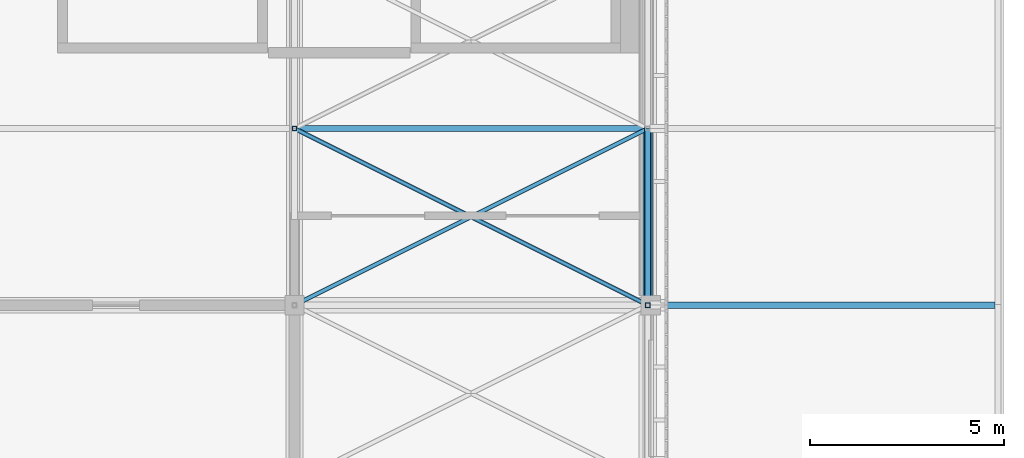
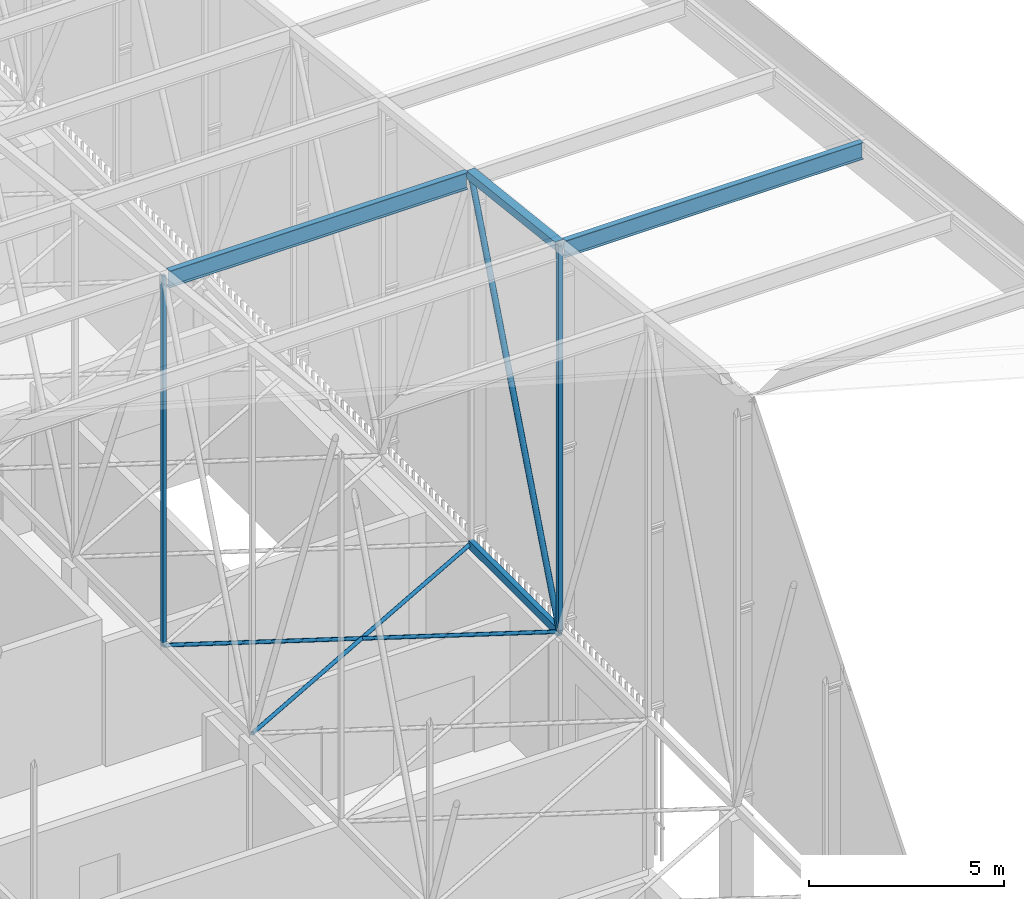
# One storey, part 385 of 500: 9 members.
"""IFC4 building model written with IfcOpenShell, lengths in metres."""

from ifc_helpers import new_model, si_unit, direction, frame, origin, origin_2d, place, context, subcontext, project, spatial, hollow_rectangle, hollow_circle, i_section, extrude, material, material_profile, profile_set, type_object, element, save


model = new_model("IFC4")

# Units and contexts
model_context = context("Model", 3, precision=1e-05, world=origin(), true_north=direction((0.0, 1.0)))
body_context = subcontext(model_context, "Body", "Model", "MODEL_VIEW")
ifc_project = project(units=[si_unit("LENGTHUNIT", "METRE"), si_unit("AREAUNIT", "SQUARE_METRE"), si_unit("VOLUMEUNIT", "CUBIC_METRE"), si_unit("PLANEANGLEUNIT", "RADIAN"), si_unit("MASSUNIT", "GRAM", prefix="KILO")], contexts=[model_context])

# Site, building, storey
site_placement = place(None, origin())
site = spatial("IfcSite", under=ifc_project, at=site_placement, CompositionType="ELEMENT")
building_placement = place(site_placement, origin())
building = spatial("IfcBuilding", under=site, at=building_placement, Name="Shirokan Park Arena", CompositionType="ELEMENT")
storey_placement = place(building_placement, frame((0.0, 0.0, 29.1201171875)))
storey = spatial("IfcBuildingStorey", under=building, at=storey_placement, Name="L06", CompositionType="ELEMENT", Elevation=29.1201171875)

# Members
ifc_material_1 = material(Name="Steel ASTM A500 Grade C", Category="steel")
ifc_material_profile_1 = material_profile(ifc_material_1, hollow_rectangle(XDim=0.152099609375, YDim=0.25390625, WallThickness=0.009521484375, at=origin_2d()), Name="HSS254X152.4X9.5")
ifc_profile_set_1 = profile_set([ifc_material_profile_1], Name="Steel ASTM A500 Grade C")
member_type_1 = type_object("IfcMemberType", Name="Bottom chord HSS254X152.4X9.5", PredefinedType="CHORD", material=ifc_profile_set_1)
member_1_placement = place(storey_placement, frame((145.60009765625, 72.800048828125, 4.677001953125), z_axis=(0.0, 1.0, 0.0), x_axis=(-1.0, 0.0, 0.0)))
element("IfcMember", 1, at=member_1_placement, inside=storey, type_object=member_type_1, Name="Truss T17 bottom chord 19", PredefinedType="CHORD", context=body_context, shape_type="SweptSolid", body=[
    extrude(hollow_rectangle(XDim=0.152099609375, YDim=0.25390625, WallThickness=0.009521484375, at=origin_2d()), origin(), (0.0, 0.0, 1.0), 4.550048828125),
])
ifc_material_profile_2 = material_profile(ifc_material_1, hollow_circle(Radius=0.056884765625, WallThickness=0.006103515625, at=origin_2d()), Name="HSS114.3X6")
ifc_profile_set_2 = profile_set([ifc_material_profile_2], Name="Steel ASTM A500 Grade C")
member_type_2 = type_object("IfcMemberType", Name="Plan bracing HSS114.3X6", PredefinedType="BRACE", material=ifc_profile_set_2)
for number, where, z_axis, x_axis, name in (
    (2, (136.5, 72.800048828125, 4.677001953125), (0.894427191, 0.4472135955, 0.0), (-0.4472135955, 0.894427191, 0.0), "Plan bracing bay 16 panel 19 A"),
    (3, (145.60009765625, 72.800048828125, 4.677001953125), (-0.894427191, 0.4472135955, 0.0), (-0.4472135955, -0.894427191, 0.0), "Plan bracing bay 16 panel 19 B"),
):
    element("IfcMember", number, at=place(storey_placement, frame(where, z_axis=z_axis, x_axis=x_axis)), inside=storey, type_object=member_type_2, Name=name, PredefinedType="BRACE", context=body_context, shape_type="SweptSolid", body=[
        extrude(hollow_circle(Radius=0.056884765625, WallThickness=0.006103515625, at=origin_2d()), origin(), (0.0, 0.0, 1.0), 10.17431640625),
    ])
ifc_material_2 = material(Name="Steel ASTM A992", Category="steel")
ifc_material_profile_3 = material_profile(ifc_material_2, i_section(OverallWidth=0.166015625, OverallDepth=0.528076171875, WebThickness=0.009765625, FlangeThickness=0.013671875, at=origin_2d()), Name="W530X74")
ifc_profile_set_3 = profile_set([ifc_material_profile_3], Name="Steel ASTM A992")
member_type_3 = type_object("IfcMemberType", Name="Purlin W530X74", PredefinedType="PURLIN", material=ifc_profile_set_3)
member_2_placement = place(storey_placement, frame((145.72705078125, 72.800048828125, 16.64599609375), z_axis=(1.0, 0.0, 0.0), x_axis=(0.0, 1.0, 0.0)))
element("IfcMember", 4, at=member_2_placement, inside=storey, type_object=member_type_3, Name="Eave purlin east 19", PredefinedType="PURLIN", context=body_context, shape_type="SweptSolid", body=[
    extrude(i_section(OverallWidth=0.166015625, OverallDepth=0.528076171875, WebThickness=0.009765625, FlangeThickness=0.013671875, at=origin_2d()), origin(), (0.0, 0.0, 1.0), 8.824951171875),
])
member_3_placement = place(storey_placement, frame((136.626953125, 77.35009765625, 16.1259765625), z_axis=(1.0, 0.0, 0.0), x_axis=(0.0, 1.0, 0.0)))
element("IfcMember", 5, at=member_3_placement, inside=storey, type_object=member_type_3, Name="Purlin 20 bay 16", PredefinedType="PURLIN", context=body_context, shape_type="SweptSolid", body=[
    extrude(i_section(OverallWidth=0.166015625, OverallDepth=0.528076171875, WebThickness=0.009765625, FlangeThickness=0.013671875, at=origin_2d()), origin(), (0.0, 0.0, 1.0), 8.845947265625),
])
ifc_material_profile_4 = material_profile(ifc_material_1, hollow_rectangle(XDim=0.25390625, YDim=0.25390625, WallThickness=0.009521484375, at=origin_2d()), Name="HSS254X254X9.5")
ifc_profile_set_4 = profile_set([ifc_material_profile_4], Name="Steel ASTM A500 Grade C")
member_type_4 = type_object("IfcMemberType", Name="Top chord HSS254X254X9.5", PredefinedType="CHORD", material=ifc_profile_set_4)
member_4_placement = place(storey_placement, frame((145.60009765625, 72.800048828125, 16.782958984375), z_axis=(0.0, 0.993532328996, -0.113549598152), x_axis=(-1.0, 0.0, 0.0)))
element("IfcMember", 6, at=member_4_placement, inside=storey, type_object=member_type_4, Name="Truss T17 top chord 19", PredefinedType="CHORD", context=body_context, shape_type="SweptSolid", body=[
    extrude(hollow_rectangle(XDim=0.25390625, YDim=0.25390625, WallThickness=0.009521484375, at=origin_2d()), origin(), (0.0, 0.0, 1.0), 4.57958984375),
])
ifc_material_profile_5 = material_profile(ifc_material_1, hollow_circle(Radius=0.083984375, WallThickness=0.009521484375, at=origin_2d()), Name="HSS168.3X9.5")
ifc_profile_set_5 = profile_set([ifc_material_profile_5], Name="Steel ASTM A500 Grade C")
member_type_5 = type_object("IfcMemberType", Name="Truss diagonal HSS168.3X9.5", PredefinedType="BRACE", material=ifc_profile_set_5)
member_5_placement = place(storey_placement, frame((145.60009765625, 72.800048828125, 4.677001953125), z_axis=(0.0, 0.365543139237, 0.930794399079), x_axis=(-1.0, 0.0, 0.0)))
element("IfcMember", 7, at=member_5_placement, inside=storey, type_object=member_type_5, Name="Truss T17 diagonal 19", PredefinedType="BRACE", context=body_context, shape_type="SweptSolid", body=[
    extrude(hollow_circle(Radius=0.083984375, WallThickness=0.009521484375, at=origin_2d()), origin(), (0.0, 0.0, 1.0), 12.447265625),
])
ifc_material_profile_6 = material_profile(ifc_material_1, hollow_rectangle(XDim=0.114013671875, YDim=0.114013671875, WallThickness=0.00634765625, at=origin_2d()), Name="HSS114.3X114.3X6.4")
ifc_profile_set_6 = profile_set([ifc_material_profile_6], Name="Steel ASTM A500 Grade C")
member_type_6 = type_object("IfcMemberType", Name="Truss post HSS114.3X114.3X6.4", PredefinedType="POST", material=ifc_profile_set_6)
member_6_placement = place(storey_placement, frame((136.5, 77.35009765625, 4.677001953125), z_axis=(0.0, 0.0, 1.0), x_axis=(1.0, 0.0, 0.0)))
element("IfcMember", 8, at=member_6_placement, inside=storey, type_object=member_type_6, Name="Truss T16 post 20", PredefinedType="POST", context=body_context, shape_type="SweptSolid", body=[
    extrude(hollow_rectangle(XDim=0.114013671875, YDim=0.114013671875, WallThickness=0.00634765625, at=origin_2d()), origin(), (0.0, 0.0, 1.0), 11.5859375),
])
ifc_material_profile_7 = material_profile(ifc_material_1, hollow_rectangle(XDim=0.126953125, YDim=0.126953125, WallThickness=0.0126953125, at=origin_2d()), Name="HSS127X127X12.7")
ifc_profile_set_7 = profile_set([ifc_material_profile_7], Name="Steel ASTM A500 Grade C")
member_type_7 = type_object("IfcMemberType", Name="Truss post HSS127X127X12.7", PredefinedType="POST", material=ifc_profile_set_7)
member_7_placement = place(storey_placement, frame((145.60009765625, 72.800048828125, 4.677001953125), z_axis=(0.0, 0.0, 1.0), x_axis=(1.0, 0.0, 0.0)))
element("IfcMember", 9, at=member_7_placement, inside=storey, type_object=member_type_7, Name="Truss T17 post 19", PredefinedType="POST", context=body_context, shape_type="SweptSolid", body=[
    extrude(hollow_rectangle(XDim=0.126953125, YDim=0.126953125, WallThickness=0.0126953125, at=origin_2d()), origin(), (0.0, 0.0, 1.0), 12.10595703125),
])

save(model, "model.ifc")
